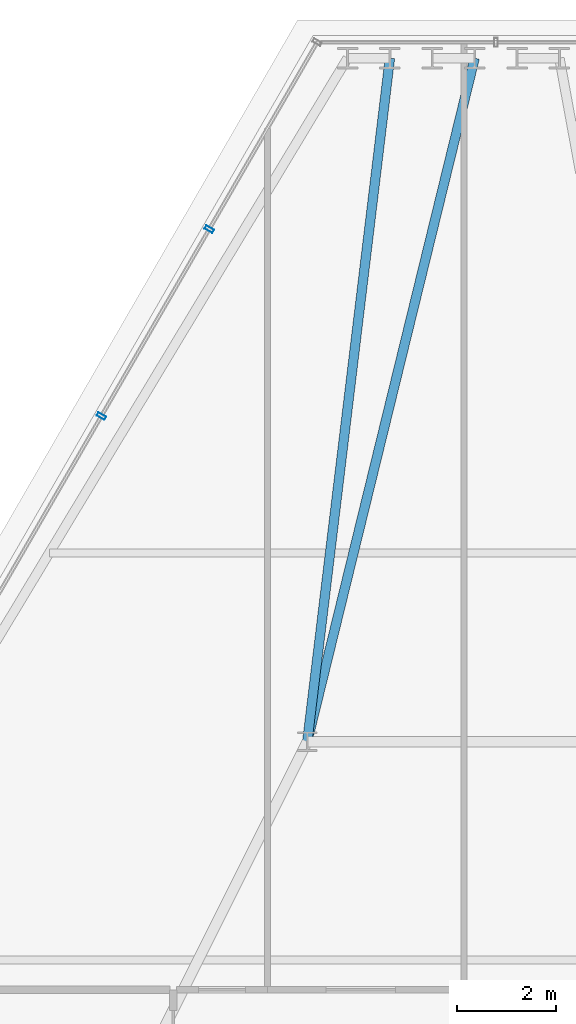
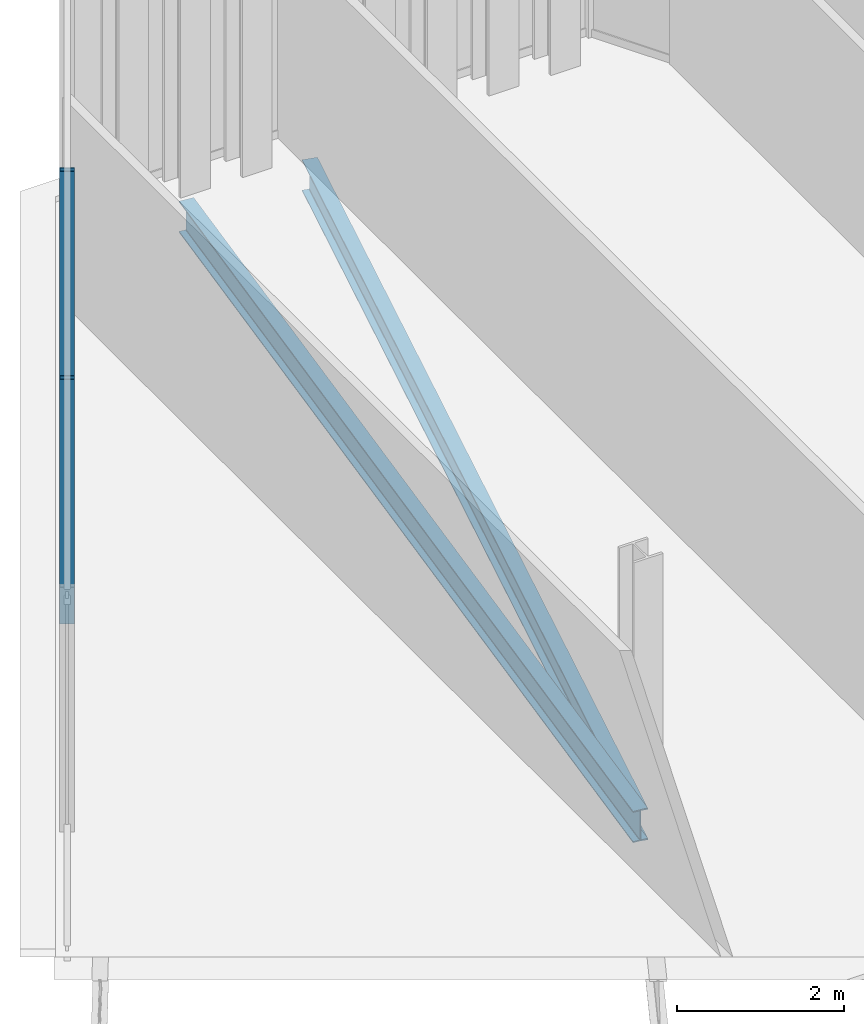
# One storey, part 20 of 29: 2 beams, 2 members, 1 element without a shape of its own.
"""IFC4 building model written with IfcOpenShell, lengths in metres."""

from ifc_helpers import new_model, si_unit, direction, frame, origin, origin_2d, place, context, subcontext, project, spatial, hollow_rectangle, i_section, extrude, material, layer, layer_set, material_profile, profile_set, type_object, element, aggregate, save


model = new_model("IFC4")

# Units and contexts
model_context = context("Model", 3, precision=1e-05, world=origin(), true_north=direction((0.0, 1.0)))
body_context = subcontext(model_context, "Body", "Model", "MODEL_VIEW")
ifc_project = project(units=[si_unit("LENGTHUNIT", "METRE"), si_unit("AREAUNIT", "SQUARE_METRE"), si_unit("VOLUMEUNIT", "CUBIC_METRE"), si_unit("PLANEANGLEUNIT", "RADIAN"), si_unit("MASSUNIT", "GRAM", prefix="KILO")], contexts=[model_context])

# Site, building, storey
site_placement = place(None, origin())
site = spatial("IfcSite", under=ifc_project, at=site_placement, CompositionType="ELEMENT")
building_placement = place(site_placement, origin())
building = spatial("IfcBuilding", under=site, at=building_placement, Name="Ndaravel Arena Tower", CompositionType="ELEMENT")
storey_placement = place(building_placement, frame((0.0, 0.0, 229.39990234375)))
storey = spatial("IfcBuildingStorey", under=building, at=storey_placement, Name="L55", CompositionType="ELEMENT", Elevation=229.39990234375)

# Beams
ifc_material_1 = material(Name="Steel S355", Category="steel")
ifc_material_profile_1 = material_profile(ifc_material_1, i_section(OverallWidth=0.19140625, OverallDepth=0.4599609375, WebThickness=0.010009765625, FlangeThickness=0.01611328125, FilletRadius=0.01025390625, at=origin_2d()), Name="UB 457x191x82")
ifc_profile_set_1 = profile_set([ifc_material_profile_1], Name="Steel S355")
beam_type = type_object("IfcBeamType", Name="BM-GIRD-UB457", PredefinedType="BEAM", material=ifc_profile_set_1)
beam_1_placement = place(storey_placement, frame((41.572998046875, 44.968994140625, -0.449951171875), z_axis=(-0.237937697562, -0.971280418869, 0.0), x_axis=(0.971280418869, -0.237937697562, 0.0)))
element("IfcBeam", 1, at=beam_1_placement, inside=storey, type_object=beam_type, Name="L55 Radial Floor Girder FG-15", PredefinedType="BEAM", context=body_context, shape_type="SweptSolid", body=[
    extrude(i_section(OverallWidth=0.19140625, OverallDepth=0.4599609375, WebThickness=0.010009765625, FlangeThickness=0.01611328125, FilletRadius=0.01025390625, at=origin_2d()), origin(), (0.0, 0.0, 1.0), 14.17626953125),
])
beam_2_placement = place(storey_placement, frame((39.865478515625, 44.968994140625, -0.449951171875), z_axis=(-0.120086390048, -0.992763445603, 0.0), x_axis=(0.992763445603, -0.120086390048, 0.0)))
element("IfcBeam", 2, at=beam_2_placement, inside=storey, type_object=beam_type, Name="L55 Radial Floor Girder FG-17", PredefinedType="BEAM", context=body_context, shape_type="SweptSolid", body=[
    extrude(i_section(OverallWidth=0.19140625, OverallDepth=0.4599609375, WebThickness=0.010009765625, FlangeThickness=0.01611328125, FilletRadius=0.01025390625, at=origin_2d()), origin(), (0.0, 0.0, 1.0), 13.869384765625),
])

# Curtain wall, members
ifc_material_2 = material(Name="Aluminium", Category="aluminium")
ifc_layer = layer(ifc_material_2, 0.179931640625)
ifc_layer_set = layer_set([ifc_layer], Name="Aluminium")
curtain_wall_type = type_object("IfcCurtainWallType", Name="CW-SYS-03", PredefinedType="NOTDEFINED", material=ifc_layer_set)
curtain_wall_placement = place(storey_placement, origin())
curtain_wall = element("IfcCurtainWall", 3, at=curtain_wall_placement, inside=storey, type_object=curtain_wall_type, Name="L55 Faceted Crystal Curtain Wall CW-L55-E05", PredefinedType="NOTDEFINED")
ifc_material_3 = material(Name="Aluminium", Category="aluminium")
ifc_material_profile_2 = material_profile(ifc_material_3, hollow_rectangle(XDim=0.074951171875, YDim=0.179931640625, WallThickness=0.00390625, at=origin_2d()), Name="CW MULLION 75x180x4")
ifc_profile_set_2 = profile_set([ifc_material_profile_2], Name="Aluminium")
member_type = type_object("IfcMemberType", Name="MEM-CW-MUL180", PredefinedType="MULLION", material=ifc_profile_set_2)
member_1_placement = place(storey_placement, frame((36.22607421875, 41.52294921875, 0.0), z_axis=(0.0, 0.0, 1.0), x_axis=(-0.5, -0.866025403784, 0.0)))
member_1 = element("IfcMember", 4, at=member_1_placement, type_object=member_type, Name="CW-L55-E05 Mullion 01", PredefinedType="MULLION", context=body_context, shape_type="SweptSolid", body=[
    extrude(hollow_rectangle(XDim=0.074951171875, YDim=0.179931640625, WallThickness=0.00390625, at=origin_2d()), origin(), (0.0, 0.0, 1.0), 3.580078125),
])
member_2_placement = place(storey_placement, frame((34.0517578125, 37.7568359375, 0.0), z_axis=(0.0, 0.0, 1.0), x_axis=(-0.5, -0.866025403784, 0.0)))
member_2 = element("IfcMember", 5, at=member_2_placement, type_object=member_type, Name="CW-L55-E05 Mullion 02", PredefinedType="MULLION", context=body_context, shape_type="SweptSolid", body=[
    extrude(hollow_rectangle(XDim=0.074951171875, YDim=0.179931640625, WallThickness=0.00390625, at=origin_2d()), origin(), (0.0, 0.0, 1.0), 3.580078125),
])
aggregate(curtain_wall, [member_1, member_2])

save(model, "model.ifc")
